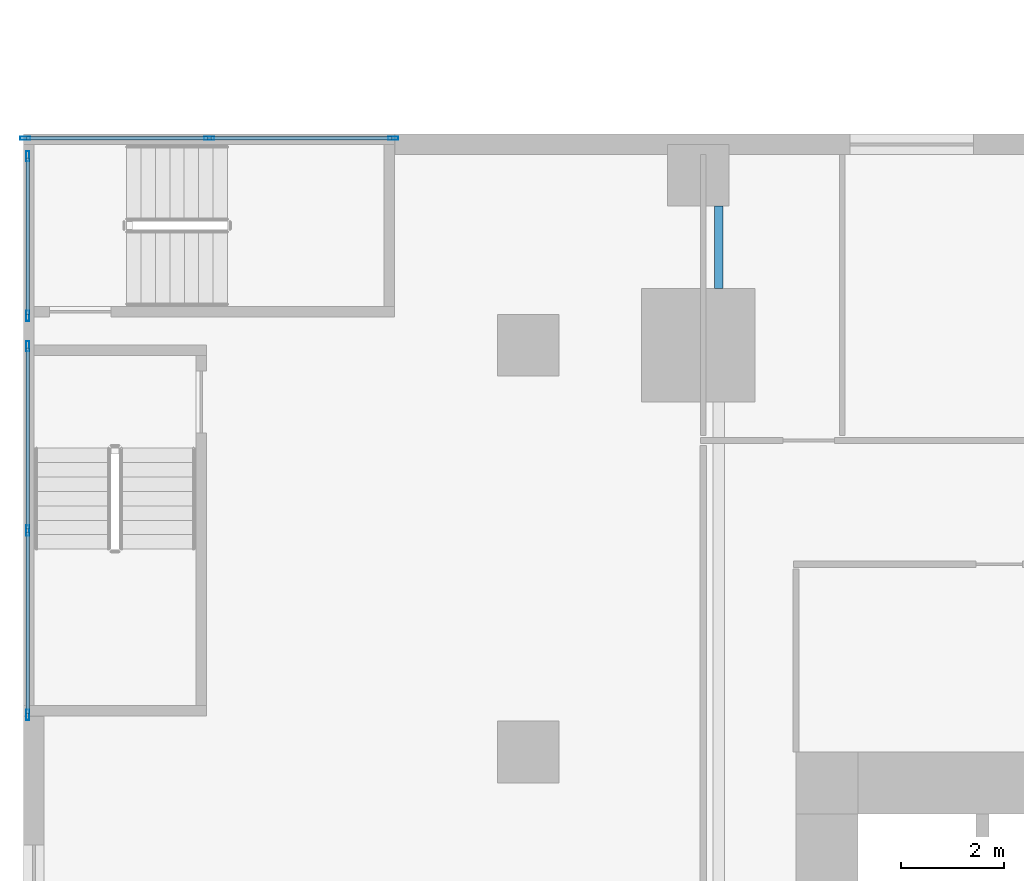
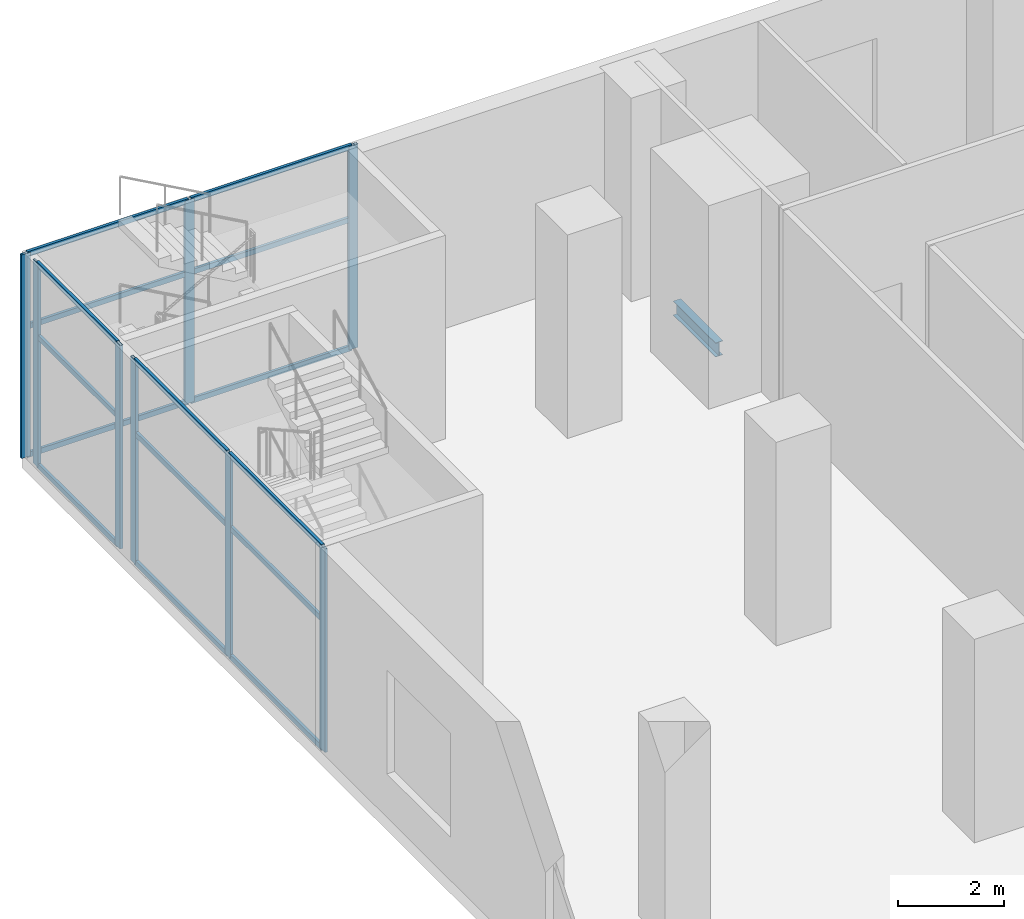
# One storey, part 4 of 23: 23 members, 1 beam, 3 elements without a shape of their own.
"""IFC4 building model written with IfcOpenShell, lengths in metres."""

from ifc_helpers import new_model, si_unit, direction, frame, origin, origin_2d, place, context, subcontext, project, spatial, hollow_rectangle, i_section, extrude, source, transform, mapped, material, material_profile, profile_set, type_object, element, aggregate, save


model = new_model("IFC4")

# Units and contexts
model_context = context("Model", 3, precision=1e-05, world=origin(), true_north=direction((0.0, 1.0)))
body_context = subcontext(model_context, "Body", "Model", "MODEL_VIEW")
ifc_project = project(units=[si_unit("LENGTHUNIT", "METRE"), si_unit("AREAUNIT", "SQUARE_METRE"), si_unit("VOLUMEUNIT", "CUBIC_METRE"), si_unit("PLANEANGLEUNIT", "RADIAN"), si_unit("MASSUNIT", "GRAM", prefix="KILO")], contexts=[model_context])

# Site, building, storey
site_placement = place(None, origin())
site = spatial("IfcSite", under=ifc_project, at=site_placement, CompositionType="ELEMENT")
building_placement = place(site_placement, origin())
building = spatial("IfcBuilding", under=site, at=building_placement, Name="Khomas Fold Tower", CompositionType="ELEMENT")
storey_placement = place(building_placement, frame((0.0, 0.0, 18.5)))
storey = spatial("IfcBuildingStorey", under=building, at=storey_placement, Name="L03", CompositionType="ELEMENT", Elevation=18.5)

# Beam
ifc_material_1 = material(Name="Steel S355", Category="steel")
ifc_material_profile_1 = material_profile(ifc_material_1, i_section(OverallWidth=0.159912109375, OverallDepth=0.330078125, WebThickness=0.007568359375, FlangeThickness=0.011474609375, at=origin_2d()), Name="IPE 330")
ifc_profile_set_1 = profile_set([ifc_material_profile_1], Name="Steel S355")
beam_type = type_object("IfcBeamType", Name="IPE 330 beam JB1", PredefinedType="BEAM", material=ifc_profile_set_1)
shared_shape_1 = source(origin(), body_context, "Body", "SweptSolid", [
    extrude(i_section(OverallWidth=0.159912109375, OverallDepth=0.330078125, WebThickness=0.007568359375, FlangeThickness=0.011474609375, at=origin_2d()), origin(), (0.0, 0.0, 1.0), 1.60009765625),
])
beam_placement = place(storey_placement, frame((4.5, 51.0, -0.465087890625), z_axis=(0.0, 1.0, 0.0), x_axis=(-1.0, 0.0, 0.0)))
element("IfcBeam", 1, at=beam_placement, inside=storey, type_object=beam_type, Name="JB1", PredefinedType="BEAM", context=body_context, shape_type="MappedRepresentation", body=[
    mapped(shared_shape_1, transform((0.0, 0.0, 0.0))),
])

# Curtain wall, members
ifc_material_2 = material(Name="Aluminium framed double glazing", Category="aluminium")
curtain_wall_type = type_object("IfcCurtainWallType", Name="Shopfront glazing PD-CW", PredefinedType="NOTDEFINED", material=ifc_material_2)
curtain_wall_1_placement = place(storey_placement, origin())
curtain_wall_1 = element("IfcCurtainWall", 2, at=curtain_wall_1_placement, inside=storey, type_object=curtain_wall_type, Name="Podium stair-tower glazing", PredefinedType="NOTDEFINED")
ifc_material_3 = material(Name="Aluminium", Category="aluminium")
ifc_material_profile_2 = material_profile(ifc_material_3, hollow_rectangle(XDim=0.06005859375, YDim=0.1201171875, WallThickness=0.00390625, at=origin_2d()), Name="Shopfront glazing transom PD-CW-T")
ifc_profile_set_2 = profile_set([ifc_material_profile_2], Name="Aluminium")
member_type_1 = type_object("IfcMemberType", Name="Shopfront glazing transom PD-CW-T", PredefinedType="USERDEFINED", material=ifc_profile_set_2)
shared_shape_2 = source(origin(), body_context, "Body", "SweptSolid", [
    extrude(hollow_rectangle(XDim=0.06005859375, YDim=0.1201171875, WallThickness=0.00390625, at=origin_2d()), origin(), (0.0, 0.0, 1.0), 3.0400390625),
])
member_1_placement = place(storey_placement, frame((-8.919921875, 53.5400390625, 0.030029296875), z_axis=(0.0, -1.0, 0.0), x_axis=(1.0, 0.0, 0.0)))
member_1 = element("IfcMember", 3, at=member_1_placement, type_object=member_type_1, Name="PD-CW transom 1.1", ObjectType="TRANSOM", PredefinedType="USERDEFINED", context=body_context, shape_type="MappedRepresentation", body=[
    mapped(shared_shape_2, transform((0.0, 0.0, 0.0))),
])
member_2_placement = place(storey_placement, frame((-8.919921875, 53.5400390625, 3.0), z_axis=(0.0, -1.0, 0.0), x_axis=(1.0, 0.0, 0.0)))
member_2 = element("IfcMember", 4, at=member_2_placement, type_object=member_type_1, Name="PD-CW transom 1.2", ObjectType="TRANSOM", PredefinedType="USERDEFINED", context=body_context, shape_type="MappedRepresentation", body=[
    mapped(shared_shape_2, transform((0.0, 0.0, 0.0))),
])
member_3_placement = place(storey_placement, frame((-8.919921875, 53.5400390625, 4.669921875), z_axis=(0.0, -1.0, 0.0), x_axis=(1.0, 0.0, 0.0)))
member_3 = element("IfcMember", 5, at=member_3_placement, type_object=member_type_1, Name="PD-CW transom 1.3", ObjectType="TRANSOM", PredefinedType="USERDEFINED", context=body_context, shape_type="MappedRepresentation", body=[
    mapped(shared_shape_2, transform((0.0, 0.0, 0.0))),
])

curtain_wall_2_placement = place(storey_placement, origin())
curtain_wall_2 = element("IfcCurtainWall", 6, at=curtain_wall_2_placement, inside=storey, type_object=curtain_wall_type, Name="Podium stair-tower glazing", PredefinedType="NOTDEFINED")
shared_shape_3 = source(origin(), body_context, "Body", "SweptSolid", [
    extrude(hollow_rectangle(XDim=0.06005859375, YDim=0.1201171875, WallThickness=0.00390625, at=origin_2d()), origin(), (0.0, 0.0, 1.0), 3.52001953125),
])
member_4_placement = place(storey_placement, frame((-8.919921875, 49.85009765625, 0.030029296875), z_axis=(0.0, -1.0, 0.0), x_axis=(1.0, 0.0, 0.0)))
member_4 = element("IfcMember", 7, at=member_4_placement, type_object=member_type_1, Name="PD-CW transom 1.1", ObjectType="TRANSOM", PredefinedType="USERDEFINED", context=body_context, shape_type="MappedRepresentation", body=[
    mapped(shared_shape_3, transform((0.0, 0.0, 0.0))),
])
member_5_placement = place(storey_placement, frame((-8.919921875, 49.85009765625, 3.0), z_axis=(0.0, -1.0, 0.0), x_axis=(1.0, 0.0, 0.0)))
member_5 = element("IfcMember", 8, at=member_5_placement, type_object=member_type_1, Name="PD-CW transom 1.2", ObjectType="TRANSOM", PredefinedType="USERDEFINED", context=body_context, shape_type="MappedRepresentation", body=[
    mapped(shared_shape_3, transform((0.0, 0.0, 0.0))),
])
member_6_placement = place(storey_placement, frame((-8.919921875, 49.85009765625, 4.669921875), z_axis=(0.0, -1.0, 0.0), x_axis=(1.0, 0.0, 0.0)))
member_6 = element("IfcMember", 9, at=member_6_placement, type_object=member_type_1, Name="PD-CW transom 1.3", ObjectType="TRANSOM", PredefinedType="USERDEFINED", context=body_context, shape_type="MappedRepresentation", body=[
    mapped(shared_shape_3, transform((0.0, 0.0, 0.0))),
])
member_7_placement = place(storey_placement, frame((-8.919921875, 46.27001953125, 0.030029296875), z_axis=(0.0, -1.0, 0.0), x_axis=(1.0, 0.0, 0.0)))
member_7 = element("IfcMember", 10, at=member_7_placement, type_object=member_type_1, Name="PD-CW transom 2.1", ObjectType="TRANSOM", PredefinedType="USERDEFINED", context=body_context, shape_type="MappedRepresentation", body=[
    mapped(shared_shape_3, transform((0.0, 0.0, 0.0))),
])
member_8_placement = place(storey_placement, frame((-8.919921875, 46.27001953125, 3.0), z_axis=(0.0, -1.0, 0.0), x_axis=(1.0, 0.0, 0.0)))
member_8 = element("IfcMember", 11, at=member_8_placement, type_object=member_type_1, Name="PD-CW transom 2.2", ObjectType="TRANSOM", PredefinedType="USERDEFINED", context=body_context, shape_type="MappedRepresentation", body=[
    mapped(shared_shape_3, transform((0.0, 0.0, 0.0))),
])
member_9_placement = place(storey_placement, frame((-8.919921875, 46.27001953125, 4.669921875), z_axis=(0.0, -1.0, 0.0), x_axis=(1.0, 0.0, 0.0)))
member_9 = element("IfcMember", 12, at=member_9_placement, type_object=member_type_1, Name="PD-CW transom 2.3", ObjectType="TRANSOM", PredefinedType="USERDEFINED", context=body_context, shape_type="MappedRepresentation", body=[
    mapped(shared_shape_3, transform((0.0, 0.0, 0.0))),
])

curtain_wall_3_placement = place(storey_placement, origin())
curtain_wall_3 = element("IfcCurtainWall", 13, at=curtain_wall_3_placement, inside=storey, type_object=curtain_wall_type, Name="Podium stair-tower glazing", PredefinedType="NOTDEFINED")
shared_shape_4 = source(origin(), body_context, "Body", "SweptSolid", [
    extrude(hollow_rectangle(XDim=0.06005859375, YDim=0.1201171875, WallThickness=0.00390625, at=origin_2d()), origin(), (0.0, 0.0, 1.0), 3.514892578125),
])
member_10_placement = place(storey_placement, frame((-1.85009765625, 53.919921875, 0.030029296875), z_axis=(-1.0, 0.0, 0.0), x_axis=(0.0, -1.0, 0.0)))
member_10 = element("IfcMember", 14, at=member_10_placement, type_object=member_type_1, Name="PD-CW transom 1.1", ObjectType="TRANSOM", PredefinedType="USERDEFINED", context=body_context, shape_type="MappedRepresentation", body=[
    mapped(shared_shape_4, transform((0.0, 0.0, 0.0))),
])
member_11_placement = place(storey_placement, frame((-1.85009765625, 53.919921875, 3.0), z_axis=(-1.0, 0.0, 0.0), x_axis=(0.0, -1.0, 0.0)))
member_11 = element("IfcMember", 15, at=member_11_placement, type_object=member_type_1, Name="PD-CW transom 1.2", ObjectType="TRANSOM", PredefinedType="USERDEFINED", context=body_context, shape_type="MappedRepresentation", body=[
    mapped(shared_shape_4, transform((0.0, 0.0, 0.0))),
])
member_12_placement = place(storey_placement, frame((-1.85009765625, 53.919921875, 4.669921875), z_axis=(-1.0, 0.0, 0.0), x_axis=(0.0, -1.0, 0.0)))
member_12 = element("IfcMember", 16, at=member_12_placement, type_object=member_type_1, Name="PD-CW transom 1.3", ObjectType="TRANSOM", PredefinedType="USERDEFINED", context=body_context, shape_type="MappedRepresentation", body=[
    mapped(shared_shape_4, transform((0.0, 0.0, 0.0))),
])
member_13_placement = place(storey_placement, frame((-5.425048828125, 53.919921875, 0.030029296875), z_axis=(-1.0, 0.0, 0.0), x_axis=(0.0, -1.0, 0.0)))
member_13 = element("IfcMember", 17, at=member_13_placement, type_object=member_type_1, Name="PD-CW transom 2.1", ObjectType="TRANSOM", PredefinedType="USERDEFINED", context=body_context, shape_type="MappedRepresentation", body=[
    mapped(shared_shape_4, transform((0.0, 0.0, 0.0))),
])
member_14_placement = place(storey_placement, frame((-5.425048828125, 53.919921875, 3.0), z_axis=(-1.0, 0.0, 0.0), x_axis=(0.0, -1.0, 0.0)))
member_14 = element("IfcMember", 18, at=member_14_placement, type_object=member_type_1, Name="PD-CW transom 2.2", ObjectType="TRANSOM", PredefinedType="USERDEFINED", context=body_context, shape_type="MappedRepresentation", body=[
    mapped(shared_shape_4, transform((0.0, 0.0, 0.0))),
])
member_15_placement = place(storey_placement, frame((-5.425048828125, 53.919921875, 4.669921875), z_axis=(-1.0, 0.0, 0.0), x_axis=(0.0, -1.0, 0.0)))
member_15 = element("IfcMember", 19, at=member_15_placement, type_object=member_type_1, Name="PD-CW transom 2.3", ObjectType="TRANSOM", PredefinedType="USERDEFINED", context=body_context, shape_type="MappedRepresentation", body=[
    mapped(shared_shape_4, transform((0.0, 0.0, 0.0))),
])

# Member
ifc_material_4 = material(Name="Aluminium", Category="aluminium")
ifc_material_profile_3 = material_profile(ifc_material_4, hollow_rectangle(XDim=0.06005859375, YDim=0.199951171875, WallThickness=0.00390625, at=origin_2d()), Name="Shopfront glazing mullion PD-CW-M")
ifc_profile_set_3 = profile_set([ifc_material_profile_3], Name="Aluminium")
member_type_2 = type_object("IfcMemberType", Name="Shopfront glazing mullion PD-CW-M", PredefinedType="MULLION", material=ifc_profile_set_3)
shared_shape_5 = source(origin(), body_context, "Body", "SweptSolid", [
    extrude(hollow_rectangle(XDim=0.06005859375, YDim=0.199951171875, WallThickness=0.00390625, at=origin_2d()), origin(), (0.0, 0.0, 1.0), 4.699951171875),
])
member_16_placement = place(storey_placement, frame((-8.919921875, 53.570068359375, 0.0), z_axis=(0.0, 0.0, 1.0), x_axis=(1.0, 0.0, 0.0)))
member_16 = element("IfcMember", 20, at=member_16_placement, type_object=member_type_2, Name="PD-CW mullion 1", PredefinedType="MULLION", context=body_context, shape_type="MappedRepresentation", body=[
    mapped(shared_shape_5, transform((0.0, 0.0, 0.0))),
])

member_17_placement = place(storey_placement, frame((-8.919921875, 50.469970703125, 0.0), z_axis=(0.0, 0.0, 1.0), x_axis=(1.0, 0.0, 0.0)))
member_17 = element("IfcMember", 21, at=member_17_placement, type_object=member_type_2, Name="PD-CW mullion 2", PredefinedType="MULLION", context=body_context, shape_type="MappedRepresentation", body=[
    mapped(shared_shape_5, transform((0.0, 0.0, 0.0))),
])

aggregate(curtain_wall_1, [member_16, member_17, member_1, member_2, member_3])

member_18_placement = place(storey_placement, frame((-8.919921875, 49.8798828125, 0.0), z_axis=(0.0, 0.0, 1.0), x_axis=(1.0, 0.0, 0.0)))
member_18 = element("IfcMember", 22, at=member_18_placement, type_object=member_type_2, Name="PD-CW mullion 1", PredefinedType="MULLION", context=body_context, shape_type="MappedRepresentation", body=[
    mapped(shared_shape_5, transform((0.0, 0.0, 0.0))),
])

member_19_placement = place(storey_placement, frame((-8.919921875, 46.300048828125, 0.0), z_axis=(0.0, 0.0, 1.0), x_axis=(1.0, 0.0, 0.0)))
member_19 = element("IfcMember", 23, at=member_19_placement, type_object=member_type_2, Name="PD-CW mullion 2", PredefinedType="MULLION", context=body_context, shape_type="MappedRepresentation", body=[
    mapped(shared_shape_5, transform((0.0, 0.0, 0.0))),
])

member_20_placement = place(storey_placement, frame((-8.919921875, 42.719970703125, 0.0), z_axis=(0.0, 0.0, 1.0), x_axis=(1.0, 0.0, 0.0)))
member_20 = element("IfcMember", 24, at=member_20_placement, type_object=member_type_2, Name="PD-CW mullion 3", PredefinedType="MULLION", context=body_context, shape_type="MappedRepresentation", body=[
    mapped(shared_shape_5, transform((0.0, 0.0, 0.0))),
])

aggregate(curtain_wall_2, [member_18, member_19, member_20, member_4, member_5, member_6, member_7, member_8, member_9])

member_21_placement = place(storey_placement, frame((-1.820068359375, 53.919921875, 0.0), z_axis=(0.0, 0.0, 1.0), x_axis=(0.0, -1.0, 0.0)))
member_21 = element("IfcMember", 25, at=member_21_placement, type_object=member_type_2, Name="PD-CW mullion 1", PredefinedType="MULLION", context=body_context, shape_type="MappedRepresentation", body=[
    mapped(shared_shape_5, transform((0.0, 0.0, 0.0))),
])

member_22_placement = place(storey_placement, frame((-5.39501953125, 53.919921875, 0.0), z_axis=(0.0, 0.0, 1.0), x_axis=(0.0, -1.0, 0.0)))
member_22 = element("IfcMember", 26, at=member_22_placement, type_object=member_type_2, Name="PD-CW mullion 2", PredefinedType="MULLION", context=body_context, shape_type="MappedRepresentation", body=[
    mapped(shared_shape_5, transform((0.0, 0.0, 0.0))),
])

member_23_placement = place(storey_placement, frame((-8.969970703125, 53.919921875, 0.0), z_axis=(0.0, 0.0, 1.0), x_axis=(0.0, -1.0, 0.0)))
member_23 = element("IfcMember", 27, at=member_23_placement, type_object=member_type_2, Name="PD-CW mullion 3", PredefinedType="MULLION", context=body_context, shape_type="MappedRepresentation", body=[
    mapped(shared_shape_5, transform((0.0, 0.0, 0.0))),
])

aggregate(curtain_wall_3, [member_21, member_22, member_23, member_10, member_11, member_12, member_13, member_14, member_15])

save(model, "model.ifc")
